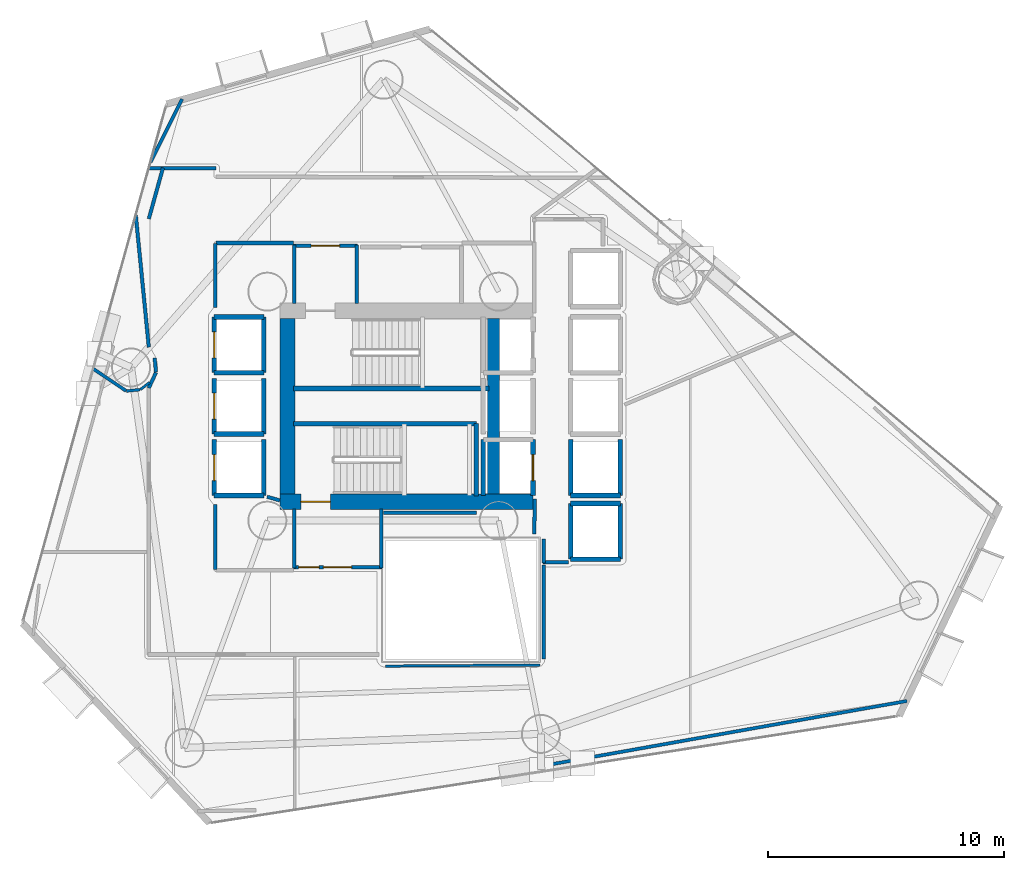
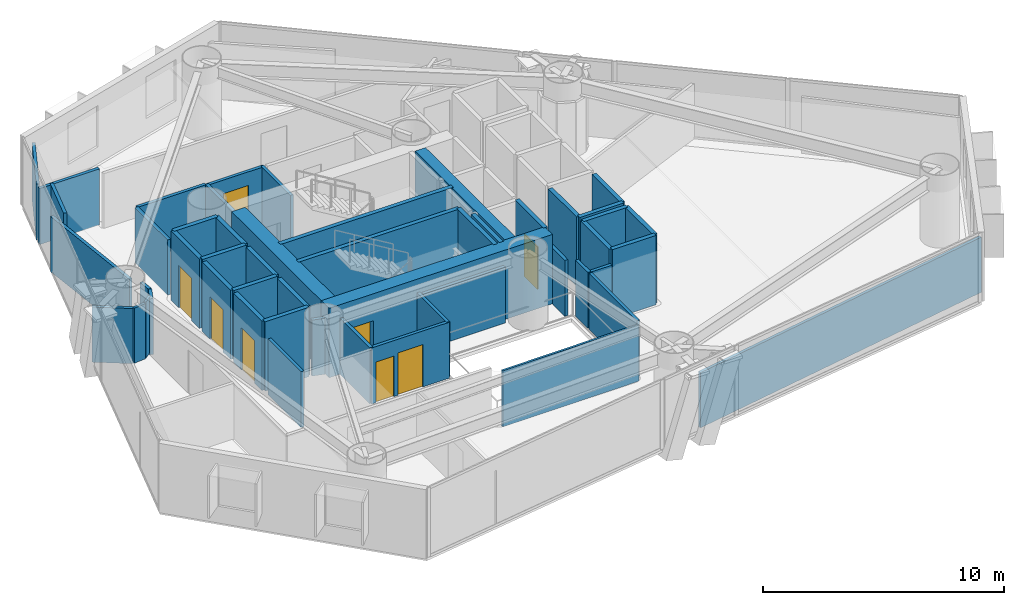
# One storey, part 17 of 23: 51 walls, 8 doors, 8 openings.
"""IFC4 building model written with IfcOpenShell, lengths in metres."""

from ifc_helpers import new_model, si_unit, direction, frame, frame_2d, origin, place, context, subcontext, project, spatial, rectangle, extrude, material, layer, layer_set, type_object, element, fill, save


model = new_model("IFC4")

# Units and contexts
model_context = context("Model", 3, precision=1e-05, world=origin(), true_north=direction((0.0, 1.0)))
body_context = subcontext(model_context, "Body", "Model", "MODEL_VIEW")
ifc_project = project(units=[si_unit("LENGTHUNIT", "METRE"), si_unit("AREAUNIT", "SQUARE_METRE"), si_unit("VOLUMEUNIT", "CUBIC_METRE"), si_unit("PLANEANGLEUNIT", "RADIAN"), si_unit("MASSUNIT", "GRAM", prefix="KILO")], contexts=[model_context])

# Site, building, storey
site_placement = place(None, origin())
site = spatial("IfcSite", under=ifc_project, at=site_placement, CompositionType="ELEMENT")
building_placement = place(site_placement, origin())
building = spatial("IfcBuilding", under=site, at=building_placement, Name="Qianvela Tower", CompositionType="ELEMENT")
storey_placement = place(building_placement, frame((0.0, 0.0, 78.39990234375)))
storey = spatial("IfcBuildingStorey", under=building, at=storey_placement, Name="L19", CompositionType="ELEMENT", Elevation=78.39990234375)

# Wall, opening, door
ifc_material_1 = material(Name="Concrete C60", Category="concrete")
ifc_layer_1 = layer(ifc_material_1, 0.64990234375)
ifc_layer_set_1 = layer_set([ifc_layer_1], Name="Concrete C60")
wall_type_1 = type_object("IfcWallType", Name="WT-CORE-650", PredefinedType="SHEAR", material=ifc_layer_set_1)
wall_1_placement = place(storey_placement, frame((29.1298828125, 24.655029296875, 0.0), z_axis=(0.0, 0.0, 1.0), x_axis=(1.0, 0.0, 0.0)))
wall_1 = element("IfcWall", 1, at=wall_1_placement, inside=storey, type_object=wall_type_1, Name="L19 South Core Shear Wall", PredefinedType="SHEAR", context=body_context, shape_type="SweptSolid", body=[
    extrude(rectangle(XDim=10.72021484375, YDim=0.64990234375, at=frame_2d((5.360107421875, 0.0))), origin(), (0.0, 0.0, 1.0), 3.52001953125),
])
opening_1_placement = place(wall_1_placement, frame((0.89501953125, 0.0, 0.0)))
opening_1 = element("IfcOpeningElement", 2, at=opening_1_placement, cuts=wall_1, Name="Opening D-ST1", PredefinedType="OPENING", context=body_context, shape_type="SweptSolid", body=[
    extrude(rectangle(XDim=1.25, YDim=2.14990234375, at=frame_2d((0.625, 1.074951171875))), frame((0.0, 0.3349609375, 0.0), z_axis=(0.0, -1.0, 0.0), x_axis=(1.0, 0.0, 0.0)), (0.0, 0.0, 1.0), 0.669921875),
])
ifc_material_2 = material(Name="Galvanised Fire Steel Q355B", Category="steel")
door_type_1 = type_object("IfcDoorType", Name="DT-STAIR-FD90", OperationType="NOTDEFINED", PredefinedType="DOOR", material=ifc_material_2)
door_1_placement = place(opening_1_placement, origin())
door_1 = element("IfcDoor", 3, at=door_1_placement, inside=storey, type_object=door_type_1, Name="L19 Stair ST-2 Exit Door", OperationType="SINGLE_SWING_LEFT", OverallHeight=2.14990234375, OverallWidth=1.25, PredefinedType="DOOR", context=body_context, shape_type="SweptSolid", body=[
    extrude(rectangle(XDim=1.25, YDim=2.14990234375, at=frame_2d((0.625, 1.074951171875))), frame((0.0, 0.02490234375, 0.0), z_axis=(0.0, -1.0, 0.0), x_axis=(1.0, 0.0, 0.0)), (0.0, 0.0, 1.0), 0.050048828125),
])
fill(opening_1, door_1)

# Walls
wall_2_placement = place(storey_placement, frame((29.455078125, 24.97998046875, 0.0), z_axis=(0.0, 0.0, 1.0), x_axis=(0.0, 1.0, 0.0)))
element("IfcWall", 4, at=wall_2_placement, inside=storey, type_object=wall_type_1, Name="L19 West Core Shear Wall", PredefinedType="SHEAR", context=body_context, shape_type="SweptSolid", body=[
    extrude(rectangle(XDim=7.43994140625, YDim=0.64990234375, at=frame_2d((3.719970703125, 0.0))), origin(), (0.0, 0.0, 1.0), 3.52001953125),
])
wall_3_placement = place(storey_placement, frame((38.179931640625, 24.97998046875, 0.0), z_axis=(0.0, 0.0, 1.0), x_axis=(0.0, 1.0, 0.0)))
element("IfcWall", 5, at=wall_3_placement, inside=storey, type_object=wall_type_1, Name="L19 East Spine Core Shear Wall", PredefinedType="SHEAR", context=body_context, shape_type="SweptSolid", body=[
    extrude(rectangle(XDim=7.43994140625, YDim=0.5, at=frame_2d((3.719970703125, 0.0))), origin(), (0.0, 0.0, 1.0), 3.52001953125),
])
ifc_material_3 = material(Name="Fire-Rated Acoustic Gypsum Board")
ifc_layer_2 = layer(ifc_material_3, 0.14990234375)
ifc_layer_set_2 = layer_set([ifc_layer_2], Name="Fire-Rated Acoustic Gypsum Board")
wall_type_2 = type_object("IfcWallType", Name="WT-CORR-150", PredefinedType="PARTITIONING", material=ifc_layer_set_2)
wall_4_placement = place(storey_placement, frame((29.73095703125, 33.05810546875, 0.0), z_axis=(0.0, 0.0, 1.0), x_axis=(0.0, 1.0, 0.0)))
element("IfcWall", 6, at=wall_4_placement, inside=storey, type_object=wall_type_2, Name="L19 Partition 2", PredefinedType="PARTITIONING", context=body_context, shape_type="SweptSolid", body=[
    extrude(rectangle(XDim=2.4619140625, YDim=0.14990234375, at=frame_2d((1.23095703125, 0.0))), origin(), (0.0, 0.0, 1.0), 2.840087890625),
])

# Wall, opening, door
wall_5_placement = place(storey_placement, frame((29.699951171875, 35.489013671875, 0.0), z_axis=(0.0, 0.0, 1.0), x_axis=(1.0, 0.0, 0.0)))
wall_5 = element("IfcWall", 7, at=wall_5_placement, inside=storey, type_object=wall_type_2, Name="L19 Partition 3", PredefinedType="PARTITIONING", context=body_context, shape_type="SweptSolid", body=[
    extrude(rectangle(XDim=2.719970703125, YDim=0.14990234375, at=frame_2d((1.35986328125, 0.0))), origin(), (0.0, 0.0, 1.0), 2.840087890625),
])
opening_2_placement = place(wall_5_placement, frame((0.760009765625, 0.0, 0.0)))
opening_2 = element("IfcOpeningElement", 8, at=opening_2_placement, cuts=wall_5, Name="Opening D-LB1", PredefinedType="OPENING", context=body_context, shape_type="SweptSolid", body=[
    extrude(rectangle(XDim=1.199951171875, YDim=2.14990234375, at=frame_2d((0.60009765625, 1.074951171875))), frame((0.0, 0.0849609375, 0.0), z_axis=(0.0, -1.0, 0.0), x_axis=(1.0, 0.0, 0.0)), (0.0, 0.0, 1.0), 0.169921875),
])
ifc_material_4 = material(Name="Glazed Fire-Rated Steel Frame", Category="steel")
door_type_2 = type_object("IfcDoorType", Name="DT-LOBBY-FD90", OperationType="NOTDEFINED", PredefinedType="DOOR", material=ifc_material_4)
door_2_placement = place(opening_2_placement, origin())
door_2 = element("IfcDoor", 9, at=door_2_placement, inside=storey, type_object=door_type_2, Name="L19 Door L19 Firefighting Lobby North to L19 Floor Corridor", OperationType="SINGLE_SWING_LEFT", OverallHeight=2.14990234375, OverallWidth=1.199951171875, PredefinedType="DOOR", context=body_context, shape_type="SweptSolid", body=[
    extrude(rectangle(XDim=1.199951171875, YDim=2.14990234375, at=frame_2d((0.60009765625, 1.074951171875))), frame((0.0, 0.02490234375, 0.0), z_axis=(0.0, -1.0, 0.0), x_axis=(1.0, 0.0, 0.0)), (0.0, 0.0, 1.0), 0.050048828125),
])
fill(opening_2, door_2)

# Wall
wall_6_placement = place(storey_placement, frame((32.388916015625, 35.52001953125, 0.0), z_axis=(0.0, 0.0, 1.0), x_axis=(0.0, -1.0, 0.0)))
element("IfcWall", 10, at=wall_6_placement, inside=storey, type_object=wall_type_2, Name="L19 Partition 4", PredefinedType="PARTITIONING", context=body_context, shape_type="SweptSolid", body=[
    extrude(rectangle(XDim=2.4619140625, YDim=0.14990234375, at=frame_2d((1.23095703125, 0.0))), origin(), (0.0, 0.0, 1.0), 2.840087890625),
])

# Wall, openings, doors
wall_7_placement = place(storey_placement, frame((33.449951171875, 21.881103515625, 0.0), z_axis=(0.0, 0.0, 1.0), x_axis=(-1.0, 0.0, 0.0)))
wall_7 = element("IfcWall", 11, at=wall_7_placement, inside=storey, type_object=wall_type_2, Name="L19 Partition 5", PredefinedType="PARTITIONING", context=body_context, shape_type="SweptSolid", body=[
    extrude(rectangle(XDim=3.75, YDim=0.14990234375, at=frame_2d((1.875, 0.0))), origin(), (0.0, 0.0, 1.0), 2.840087890625),
])
opening_3_placement = place(wall_7_placement, frame((1.27490234375, 0.0, 0.0)))
opening_3 = element("IfcOpeningElement", 12, at=opening_3_placement, cuts=wall_7, Name="Opening D-LB1", PredefinedType="OPENING", context=body_context, shape_type="SweptSolid", body=[
    extrude(rectangle(XDim=1.199951171875, YDim=2.14990234375, at=frame_2d((0.60009765625, 1.074951171875))), frame((0.0, 0.0849609375, 0.0), z_axis=(0.0, -1.0, 0.0), x_axis=(1.0, 0.0, 0.0)), (0.0, 0.0, 1.0), 0.169921875),
])
opening_4_placement = place(wall_7_placement, frame((2.659912109375, 0.0, 0.0)))
opening_4 = element("IfcOpeningElement", 13, at=opening_4_placement, cuts=wall_7, Name="Opening D-LB2", PredefinedType="OPENING", context=body_context, shape_type="SweptSolid", body=[
    extrude(rectangle(XDim=0.860107421875, YDim=2.050048828125, at=frame_2d((0.43017578125, 1.02490234375))), frame((0.0, 0.0849609375, 0.0), z_axis=(0.0, -1.0, 0.0), x_axis=(1.0, 0.0, 0.0)), (0.0, 0.0, 1.0), 0.169921875),
])
door_3_placement = place(opening_3_placement, origin())
door_3 = element("IfcDoor", 14, at=door_3_placement, inside=storey, type_object=door_type_2, Name="L19 Door L19 Firefighting Lobby South to L19 Floor Corridor", OperationType="SINGLE_SWING_RIGHT", OverallHeight=2.14990234375, OverallWidth=1.199951171875, PredefinedType="DOOR", context=body_context, shape_type="SweptSolid", body=[
    extrude(rectangle(XDim=1.199951171875, YDim=2.14990234375, at=frame_2d((0.60009765625, 1.074951171875))), frame((0.0, 0.02490234375, 0.0), z_axis=(0.0, -1.0, 0.0), x_axis=(1.0, 0.0, 0.0)), (0.0, 0.0, 1.0), 0.050048828125),
])
fill(opening_3, door_3)
ifc_material_5 = material(Name="Insulated Steel Fire Door Q355B", Category="steel")
door_type_3 = type_object("IfcDoorType", Name="DT-LOBBY-FD90-860", OperationType="NOTDEFINED", PredefinedType="DOOR", material=ifc_material_5)
door_4_placement = place(opening_4_placement, origin())
door_4 = element("IfcDoor", 15, at=door_4_placement, inside=storey, type_object=door_type_3, Name="L19 Door L19 Firefighting Lobby South to L19 Floor Corridor", OperationType="SINGLE_SWING_LEFT", OverallHeight=2.050048828125, OverallWidth=0.860107421875, PredefinedType="DOOR", context=body_context, shape_type="SweptSolid", body=[
    extrude(rectangle(XDim=0.860107421875, YDim=2.050048828125, at=frame_2d((0.43017578125, 1.02490234375))), frame((0.0, 0.02490234375, 0.0), z_axis=(0.0, -1.0, 0.0), x_axis=(1.0, 0.0, 0.0)), (0.0, 0.0, 1.0), 0.050048828125),
])
fill(opening_4, door_4)

# Walls
for number, where, z_axis, x_axis, name in (
    (16, (29.73095703125, 21.85009765625, 0.0), (0.0, 0.0, 1.0), (0.0, 1.0, 0.0), "L19 Partition 6"),
    (17, (33.4189453125, 24.342041015625, 0.0), (0.0, 0.0, 1.0), (0.0, -1.0, 0.0), "L19 Partition 8"),
):
    element("IfcWall", number, at=place(storey_placement, frame(where, z_axis=z_axis, x_axis=x_axis)), inside=storey, type_object=wall_type_2, Name=name, PredefinedType="PARTITIONING", context=body_context, shape_type="SweptSolid", body=[
        extrude(rectangle(XDim=2.491943359375, YDim=0.14990234375, at=frame_2d((1.24609375, 0.0))), origin(), (0.0, 0.0, 1.0), 2.840087890625),
    ])
wall_8_placement = place(storey_placement, frame((41.360107421875, 22.0810546875, 0.0), z_axis=(0.0, 0.0, 1.0), x_axis=(-1.0, 0.0, 0.0)))
element("IfcWall", 18, at=wall_8_placement, inside=storey, type_object=wall_type_2, Name="L19 Partition 15", PredefinedType="PARTITIONING", context=body_context, shape_type="SweptSolid", body=[
    extrude(rectangle(XDim=1.080078125, YDim=0.14990234375, at=frame_2d((0.5400390625, 0.0))), origin(), (0.0, 0.0, 1.0), 2.840087890625),
])
wall_9_placement = place(storey_placement, frame((40.31103515625, 22.05029296875, 0.0), z_axis=(0.0, 0.0, 1.0), x_axis=(-0.011836292006, 0.999929948642, 0.0)))
element("IfcWall", 19, at=wall_9_placement, inside=storey, type_object=wall_type_2, Name="L19 Partition 16", PredefinedType="PARTITIONING", context=body_context, shape_type="SweptSolid", body=[
    extrude(rectangle(XDim=1.03125, YDim=0.14990234375, at=frame_2d((0.515625, 0.0))), origin(), (0.0, 0.0, 1.0), 2.840087890625),
])
wall_10_placement = place(storey_placement, frame((39.910888671875, 23.27978515625, 0.0), z_axis=(0.0, 0.0, 1.0), x_axis=(0.009397771291, 0.999955839972, 0.0)))
element("IfcWall", 20, at=wall_10_placement, inside=storey, type_object=wall_type_2, Name="L19 Partition 17", PredefinedType="PARTITIONING", context=body_context, shape_type="SweptSolid", body=[
    extrude(rectangle(XDim=1.480712890625, YDim=0.14990234375, at=frame_2d((0.740234375, 0.0))), origin(), (0.0, 0.0, 1.0), 2.840087890625),
])
wall_11_placement = place(storey_placement, frame((29.1298828125, 24.706298828125, 0.0), z_axis=(0.0, 0.0, 1.0), x_axis=(-0.960451214223, 0.278448316742, 0.0)))
element("IfcWall", 21, at=wall_11_placement, inside=storey, type_object=wall_type_2, Name="L19 Partition 27", PredefinedType="PARTITIONING", context=body_context, shape_type="SweptSolid", body=[
    extrude(rectangle(XDim=0.56201171875, YDim=0.14990234375, at=frame_2d((0.281005859375, 0.0))), origin(), (0.0, 0.0, 1.0), 2.840087890625),
])
wall_12_placement = place(storey_placement, frame((37.466552734375, 24.180908203125, 0.0), z_axis=(0.0, 0.0, 1.0), x_axis=(-1.0, 0.0, 0.0)))
element("IfcWall", 22, at=wall_12_placement, inside=storey, type_object=wall_type_2, Name="L19 Partition 34", PredefinedType="PARTITIONING", context=body_context, shape_type="SweptSolid", body=[
    extrude(rectangle(XDim=3.9365234375, YDim=0.14990234375, at=frame_2d((1.96826171875, 0.0))), origin(), (0.0, 0.0, 1.0), 2.840087890625),
])
wall_13_placement = place(storey_placement, frame((23.5810546875, 31.197265625, 0.0), z_axis=(0.0, 0.0, 1.0), x_axis=(-0.098472401476, 0.995139782215, 0.0)))
element("IfcWall", 23, at=wall_13_placement, inside=storey, type_object=wall_type_2, Name="L19 Partition 35", PredefinedType="PARTITIONING", context=body_context, shape_type="SweptSolid", body=[
    extrude(rectangle(XDim=5.62548828125, YDim=0.14990234375, at=frame_2d((2.812744140625, 0.0))), origin(), (0.0, 0.0, 1.0), 2.798095703125),
])
wall_14_placement = place(storey_placement, frame((23.579833984375, 36.63330078125, 0.0), z_axis=(0.0, 0.0, 1.0), x_axis=(0.267559547286, 0.963541326906, 0.0)))
element("IfcWall", 24, at=wall_14_placement, inside=storey, type_object=wall_type_2, Name="L19 Partition 36", PredefinedType="PARTITIONING", context=body_context, shape_type="SweptSolid", body=[
    extrude(rectangle(XDim=2.240234375, YDim=0.14990234375, at=frame_2d((1.1201171875, 0.0))), origin(), (0.0, 0.0, 1.0), 2.840087890625),
])
wall_15_placement = place(storey_placement, frame((23.55517578125, 38.76904296875, 0.0), z_axis=(0.0, 0.0, 1.0), x_axis=(1.0, 0.0, 0.0)))
element("IfcWall", 25, at=wall_15_placement, inside=storey, type_object=wall_type_2, Name="L19 Partition 37", PredefinedType="PARTITIONING", context=body_context, shape_type="SweptSolid", body=[
    extrude(rectangle(XDim=2.86474609375, YDim=0.14990234375, at=frame_2d((1.432373046875, 0.0))), origin(), (0.0, 0.0, 1.0), 2.840087890625),
])
wall_16_placement = place(storey_placement, frame((29.699951171875, 35.611083984375, 0.0), z_axis=(0.0, 0.0, 1.0), x_axis=(-1.0, 0.0, 0.0)))
element("IfcWall", 26, at=wall_16_placement, inside=storey, type_object=wall_type_2, Name="L19 Partition 41 seg 3", PredefinedType="PARTITIONING", context=body_context, shape_type="SweptSolid", body=[
    extrude(rectangle(XDim=3.280029296875, YDim=0.14990234375, at=frame_2d((1.64013671875, 0.0))), origin(), (0.0, 0.0, 1.0), 2.798095703125),
])
wall_17_placement = place(storey_placement, frame((26.388916015625, 35.580078125, 0.0), z_axis=(0.0, 0.0, 1.0), x_axis=(0.0, -1.0, 0.0)))
element("IfcWall", 27, at=wall_17_placement, inside=storey, type_object=wall_type_2, Name="L19 Partition 42", PredefinedType="PARTITIONING", context=body_context, shape_type="SweptSolid", body=[
    extrude(rectangle(XDim=2.71044921875, YDim=0.14990234375, at=frame_2d((1.355224609375, 0.0))), origin(), (0.0, 0.0, 1.0), 2.798095703125),
])
wall_18_placement = place(storey_placement, frame((26.388916015625, 24.530517578125, 0.0), z_axis=(0.0, 0.0, 1.0), x_axis=(0.0, -1.0, 0.0)))
element("IfcWall", 28, at=wall_18_placement, inside=storey, type_object=wall_type_2, Name="L19 Partition 44", PredefinedType="PARTITIONING", context=body_context, shape_type="SweptSolid", body=[
    extrude(rectangle(XDim=2.75048828125, YDim=0.14990234375, at=frame_2d((1.375244140625, 0.0))), origin(), (0.0, 0.0, 1.0), 2.840087890625),
])
wall_19_placement = place(storey_placement, frame((23.578125, 29.4697265625, 0.0), z_axis=(0.0, 0.0, 1.0), x_axis=(0.421827918194, 0.906675910914, 0.0)))
element("IfcWall", 29, at=wall_19_placement, inside=storey, type_object=wall_type_2, Name="L19 Partition 48", PredefinedType="PARTITIONING", context=body_context, shape_type="SweptSolid", body=[
    extrude(rectangle(XDim=0.720458984375, YDim=0.14990234375, at=frame_2d((0.3603515625, 0.0))), origin(), (0.0, 0.0, 1.0), 2.840087890625),
])
wall_20_placement = place(storey_placement, frame((23.884765625, 30.13916015625, 0.0), z_axis=(0.0, 0.0, 1.0), x_axis=(-0.0981888168, 0.995167803064, 0.0)))
element("IfcWall", 30, at=wall_20_placement, inside=storey, type_object=wall_type_2, Name="L19 Partition 49", PredefinedType="PARTITIONING", context=body_context, shape_type="SweptSolid", body=[
    extrude(rectangle(XDim=0.606689453125, YDim=0.14990234375, at=frame_2d((0.30322265625, 0.0))), origin(), (0.0, 0.0, 1.0), 2.840087890625),
])
ifc_material_6 = material(Name="Lightweight Gypsum Room Partition")
ifc_layer_3 = layer(ifc_material_6, 0.10498046875)
ifc_layer_set_3 = layer_set([ifc_layer_3], Name="Lightweight Gypsum Room Partition")
wall_type_3 = type_object("IfcWallType", Name="WT-PART-105", PredefinedType="PARTITIONING", material=ifc_layer_set_3)
wall_21_placement = place(storey_placement, frame((33.60009765625, 17.68896484375, 0.0), z_axis=(0.0, 0.0, 1.0), x_axis=(0.999974170588, 0.007187360901, 0.0)))
element("IfcWall", 31, at=wall_21_placement, inside=storey, type_object=wall_type_3, Name="L19 Partition 57", PredefinedType="PARTITIONING", context=body_context, shape_type="SweptSolid", body=[
    extrude(rectangle(XDim=6.555908203125, YDim=0.10498046875, at=frame_2d((3.27783203125, 0.0))), origin(), (0.0, 0.0, 1.0), 2.840087890625),
])
wall_22_placement = place(storey_placement, frame((23.224853515625, 29.405517578125, 0.0), z_axis=(0.0, 0.0, 1.0), x_axis=(0.792697562137, 0.609615103965, 0.0)))
element("IfcWall", 32, at=wall_22_placement, inside=storey, type_object=wall_type_3, Name="L19 Partition 96", PredefinedType="PARTITIONING", context=body_context, shape_type="SweptSolid", body=[
    extrude(rectangle(XDim=0.493408203125, YDim=0.10498046875, at=frame_2d((0.24658203125, 0.0))), origin(), (0.0, 0.0, 1.0), 2.840087890625),
])
ifc_material_7 = material(Name="Insulated Gypsum Stud Partition")
ifc_layer_4 = layer(ifc_material_7, 0.1201171875)
ifc_layer_set_4 = layer_set([ifc_layer_4], Name="Insulated Gypsum Stud Partition")
wall_type_4 = type_object("IfcWallType", Name="WT-PART-120", PredefinedType="PARTITIONING", material=ifc_layer_set_4)
wall_23_placement = place(storey_placement, frame((22.639892578125, 29.343017578125, 0.0), z_axis=(0.0, 0.0, 1.0), x_axis=(0.995167364461, 0.098193262045, 0.0)))
element("IfcWall", 33, at=wall_23_placement, inside=storey, type_object=wall_type_4, Name="L19 Partition 95", PredefinedType="PARTITIONING", context=body_context, shape_type="SweptSolid", body=[
    extrude(rectangle(XDim=0.57177734375, YDim=0.1201171875, at=frame_2d((0.285888671875, 0.0))), origin(), (0.0, 0.0, 1.0), 2.798095703125),
])
ifc_material_8 = material(Name="Acoustic Double Gypsum Stud Partition")
ifc_layer_5 = layer(ifc_material_8, 0.139892578125)
ifc_layer_set_5 = layer_set([ifc_layer_5], Name="Acoustic Double Gypsum Stud Partition")
wall_type_5 = type_object("IfcWallType", Name="WT-ROOM-140", PredefinedType="PARTITIONING", material=ifc_layer_set_5)
wall_24_placement = place(storey_placement, frame((40.31103515625, 18.0, 0.0), z_axis=(0.0, 0.0, 1.0), x_axis=(0.0, 1.0, 0.0)))
element("IfcWall", 34, at=wall_24_placement, inside=storey, type_object=wall_type_5, Name="L19 Partition 58 seg 1", PredefinedType="PARTITIONING", context=body_context, shape_type="SweptSolid", body=[
    extrude(rectangle(XDim=3.969970703125, YDim=0.139892578125, at=frame_2d((1.98486328125, 0.0))), origin(), (0.0, 0.0, 1.0), 2.840087890625),
])
wall_25_placement = place(storey_placement, frame((55.690673828125, 16.21142578125, 0.0), z_axis=(0.0, 0.0, 1.0), x_axis=(-0.984518953874, -0.175278148848, 0.0)))
element("IfcWall", 35, at=wall_25_placement, inside=storey, type_object=wall_type_5, Name="L19 Partition 67 seg 1", PredefinedType="PARTITIONING", context=body_context, shape_type="SweptSolid", body=[
    extrude(rectangle(XDim=15.251953125, YDim=0.139892578125, at=frame_2d((7.6259765625, 0.0))), origin(), (0.0, 0.0, 1.0), 2.798095703125),
])
wall_26_placement = place(storey_placement, frame((21.202392578125, 30.295166015625, 0.0), z_axis=(0.0, 0.0, 1.0), x_axis=(0.831454856981, -0.555592315285, 0.0)))
element("IfcWall", 36, at=wall_26_placement, inside=storey, type_object=wall_type_5, Name="L19 Partition 94", PredefinedType="PARTITIONING", context=body_context, shape_type="SweptSolid", body=[
    extrude(rectangle(XDim=1.70458984375, YDim=0.139892578125, at=frame_2d((0.852294921875, 0.0))), origin(), (0.0, 0.0, 1.0), 2.798095703125),
])
wall_27_placement = place(storey_placement, frame((23.646484375, 39.02587890625, 0.0), z_axis=(0.0, 0.0, 1.0), x_axis=(0.447702019823, 0.894182812095, 0.0)))
element("IfcWall", 37, at=wall_27_placement, inside=storey, type_object=wall_type_5, Name="L19 Partition 100", PredefinedType="PARTITIONING", context=body_context, shape_type="SweptSolid", body=[
    extrude(rectangle(XDim=2.998779296875, YDim=0.139892578125, at=frame_2d((1.49951171875, 0.0))), origin(), (0.0, 0.0, 1.0), 2.840087890625),
])
ifc_material_9 = material(Name="Concrete C50", Category="concrete")
ifc_layer_6 = layer(ifc_material_9, 0.199951171875)
ifc_layer_set_6 = layer_set([ifc_layer_6], Name="Concrete C50")
wall_type_6 = type_object("IfcWallType", Name="WT-SHAFT-200", PredefinedType="SOLIDWALL", material=ifc_layer_set_6)
wall_28_placement = place(storey_placement, frame((29.699951171875, 29.449951171875, 0.0), z_axis=(0.0, 0.0, 1.0), x_axis=(1.0, 0.0, 0.0)))
element("IfcWall", 38, at=wall_28_placement, inside=storey, type_object=wall_type_6, Name="L19 Stair ST-1 South Wall", PredefinedType="SOLIDWALL", context=body_context, shape_type="SweptSolid", body=[
    extrude(rectangle(XDim=8.300048828125, YDim=0.199951171875, at=frame_2d((4.14990234375, 0.0))), origin(), (0.0, 0.0, 1.0), 3.52001953125),
])
wall_29_placement = place(storey_placement, frame((29.699951171875, 27.9599609375, 0.0), z_axis=(0.0, 0.0, 1.0), x_axis=(1.0, 0.0, 0.0)))
element("IfcWall", 39, at=wall_29_placement, inside=storey, type_object=wall_type_6, Name="L19 Stair ST-2 North Wall", PredefinedType="SOLIDWALL", context=body_context, shape_type="SweptSolid", body=[
    extrude(rectangle(XDim=7.75, YDim=0.199951171875, at=frame_2d((3.875, 0.0))), origin(), (0.0, 0.0, 1.0), 3.52001953125),
])
wall_30_placement = place(storey_placement, frame((37.449951171875, 24.89990234375, 0.0), z_axis=(0.0, 0.0, 1.0), x_axis=(0.0, 1.0, 0.0)))
element("IfcWall", 40, at=wall_30_placement, inside=storey, type_object=wall_type_6, Name="L19 Stair ST-2 East Wall", PredefinedType="SOLIDWALL", context=body_context, shape_type="SweptSolid", body=[
    extrude(rectangle(XDim=3.06005859375, YDim=0.199951171875, at=frame_2d((1.530029296875, 0.0))), origin(), (0.0, 0.0, 1.0), 3.52001953125),
])

# Wall, opening, door
wall_31_placement = place(storey_placement, frame((39.85009765625, 24.919921875, 0.0), z_axis=(0.0, 0.0, 1.0), x_axis=(0.0, 1.0, 0.0)))
wall_31 = element("IfcWall", 41, at=wall_31_placement, inside=storey, type_object=wall_type_6, Name="L19 Lift FL-2 E Shaft Wall", PredefinedType="SOLIDWALL", context=body_context, shape_type="SweptSolid", body=[
    extrude(rectangle(XDim=2.360107421875, YDim=0.199951171875, at=frame_2d((1.18017578125, 0.0))), origin(), (0.0, 0.0, 1.0), 3.52001953125),
])
opening_5_placement = place(wall_31_placement, frame((0.6298828125, 0.0, 0.0)))
opening_5 = element("IfcOpeningElement", 42, at=opening_5_placement, cuts=wall_31, Name="Opening LD-01", PredefinedType="OPENING", context=body_context, shape_type="SweptSolid", body=[
    extrude(rectangle(XDim=1.10009765625, YDim=2.14990234375, at=frame_2d((0.550048828125, 1.074951171875))), frame((0.0, 0.10986328125, 0.0), z_axis=(0.0, -1.0, 0.0), x_axis=(1.0, 0.0, 0.0)), (0.0, 0.0, 1.0), 0.219970703125),
])
ifc_material_10 = material(Name="Brushed Stainless Steel Lift Landing Door", Category="steel")
door_type_4 = type_object("IfcDoorType", Name="DT-LIFT-SLIDE-1100", OperationType="SLIDING_TO_LEFT", PredefinedType="DOOR", material=ifc_material_10)
door_5_placement = place(opening_5_placement, origin())
door_5 = element("IfcDoor", 43, at=door_5_placement, inside=storey, type_object=door_type_4, Name="L19 Lift FL-2 Sliding Landing Door", OperationType="SLIDING_TO_LEFT", OverallHeight=2.14990234375, OverallWidth=1.10009765625, PredefinedType="DOOR", context=body_context, shape_type="SweptSolid", body=[
    extrude(rectangle(XDim=1.10009765625, YDim=2.14990234375, at=frame_2d((0.550048828125, 1.074951171875))), frame((0.0, 0.02490234375, 0.0), z_axis=(0.0, -1.0, 0.0), x_axis=(1.0, 0.0, 0.0)), (0.0, 0.0, 1.0), 0.050048828125),
])
fill(opening_5, door_5)

# Walls
wall_32_placement = place(storey_placement, frame((37.75, 24.919921875, 0.0), z_axis=(0.0, 0.0, 1.0), x_axis=(0.0, 1.0, 0.0)))
element("IfcWall", 44, at=wall_32_placement, inside=storey, type_object=wall_type_6, Name="L19 Lift FL-2 W Shaft Wall", PredefinedType="SOLIDWALL", context=body_context, shape_type="SweptSolid", body=[
    extrude(rectangle(XDim=2.360107421875, YDim=0.199951171875, at=frame_2d((1.18017578125, 0.0))), origin(), (0.0, 0.0, 1.0), 3.52001953125),
])
wall_33_placement = place(storey_placement, frame((28.449951171875, 30.1201171875, 0.0), z_axis=(0.0, 0.0, 1.0), x_axis=(0.0, 1.0, 0.0)))
element("IfcWall", 45, at=wall_33_placement, inside=storey, type_object=wall_type_6, Name="L19 Lift PL-L1 E Shaft Wall", PredefinedType="SOLIDWALL", context=body_context, shape_type="SweptSolid", body=[
    extrude(rectangle(XDim=2.35986328125, YDim=0.199951171875, at=frame_2d((1.179931640625, 0.0))), origin(), (0.0, 0.0, 1.0), 3.52001953125),
])

# Wall, opening, door
wall_34_placement = place(storey_placement, frame((26.35009765625, 30.1201171875, 0.0), z_axis=(0.0, 0.0, 1.0), x_axis=(0.0, 1.0, 0.0)))
wall_34 = element("IfcWall", 46, at=wall_34_placement, inside=storey, type_object=wall_type_6, Name="L19 Lift PL-L1 W Shaft Wall", PredefinedType="SOLIDWALL", context=body_context, shape_type="SweptSolid", body=[
    extrude(rectangle(XDim=2.35986328125, YDim=0.199951171875, at=frame_2d((1.179931640625, 0.0))), origin(), (0.0, 0.0, 1.0), 3.52001953125),
])
opening_6_placement = place(wall_34_placement, frame((0.6298828125, 0.0, 0.0)))
opening_6 = element("IfcOpeningElement", 47, at=opening_6_placement, cuts=wall_34, Name="Opening LD-01", PredefinedType="OPENING", context=body_context, shape_type="SweptSolid", body=[
    extrude(rectangle(XDim=1.10009765625, YDim=2.14990234375, at=frame_2d((0.550048828125, 1.074951171875))), frame((0.0, 0.10986328125, 0.0), z_axis=(0.0, -1.0, 0.0), x_axis=(1.0, 0.0, 0.0)), (0.0, 0.0, 1.0), 0.219970703125),
])
door_6_placement = place(opening_6_placement, origin())
door_6 = element("IfcDoor", 48, at=door_6_placement, inside=storey, type_object=door_type_4, Name="L19 Lift PL-L1 Sliding Landing Door", OperationType="SLIDING_TO_LEFT", OverallHeight=2.14990234375, OverallWidth=1.10009765625, PredefinedType="DOOR", context=body_context, shape_type="SweptSolid", body=[
    extrude(rectangle(XDim=1.10009765625, YDim=2.14990234375, at=frame_2d((0.550048828125, 1.074951171875))), frame((0.0, 0.02490234375, 0.0), z_axis=(0.0, -1.0, 0.0), x_axis=(1.0, 0.0, 0.0)), (0.0, 0.0, 1.0), 0.050048828125),
])
fill(opening_6, door_6)

# Walls
for number, where, z_axis, x_axis, name in (
    (49, (26.35009765625, 32.47998046875, 0.0), (0.0, 0.0, 1.0), (1.0, 0.0, 0.0), "L19 Lift PL-L1 N Shaft Wall"),
    (50, (26.35009765625, 30.1201171875, 0.0), (0.0, 0.0, 1.0), (1.0, 0.0, 0.0), "L19 Lift PL-L1 S Shaft Wall"),
):
    element("IfcWall", number, at=place(storey_placement, frame(where, z_axis=z_axis, x_axis=x_axis)), inside=storey, type_object=wall_type_6, Name=name, PredefinedType="SOLIDWALL", context=body_context, shape_type="SweptSolid", body=[
        extrude(rectangle(XDim=2.099853515625, YDim=0.199951171875, at=frame_2d((1.0498046875, 0.0))), origin(), (0.0, 0.0, 1.0), 3.52001953125),
    ])
wall_35_placement = place(storey_placement, frame((28.449951171875, 27.52001953125, 0.0), z_axis=(0.0, 0.0, 1.0), x_axis=(0.0, 1.0, 0.0)))
element("IfcWall", 51, at=wall_35_placement, inside=storey, type_object=wall_type_6, Name="L19 Lift PL-L2 E Shaft Wall", PredefinedType="SOLIDWALL", context=body_context, shape_type="SweptSolid", body=[
    extrude(rectangle(XDim=2.35986328125, YDim=0.199951171875, at=frame_2d((1.179931640625, 0.0))), origin(), (0.0, 0.0, 1.0), 3.52001953125),
])

# Wall, opening, door
wall_36_placement = place(storey_placement, frame((26.35009765625, 27.52001953125, 0.0), z_axis=(0.0, 0.0, 1.0), x_axis=(0.0, 1.0, 0.0)))
wall_36 = element("IfcWall", 52, at=wall_36_placement, inside=storey, type_object=wall_type_6, Name="L19 Lift PL-L2 W Shaft Wall", PredefinedType="SOLIDWALL", context=body_context, shape_type="SweptSolid", body=[
    extrude(rectangle(XDim=2.35986328125, YDim=0.199951171875, at=frame_2d((1.179931640625, 0.0))), origin(), (0.0, 0.0, 1.0), 3.52001953125),
])
opening_7_placement = place(wall_36_placement, frame((0.6298828125, 0.0, 0.0)))
opening_7 = element("IfcOpeningElement", 53, at=opening_7_placement, cuts=wall_36, Name="Opening LD-01", PredefinedType="OPENING", context=body_context, shape_type="SweptSolid", body=[
    extrude(rectangle(XDim=1.10009765625, YDim=2.14990234375, at=frame_2d((0.550048828125, 1.074951171875))), frame((0.0, 0.10986328125, 0.0), z_axis=(0.0, -1.0, 0.0), x_axis=(1.0, 0.0, 0.0)), (0.0, 0.0, 1.0), 0.219970703125),
])
door_7_placement = place(opening_7_placement, origin())
door_7 = element("IfcDoor", 54, at=door_7_placement, inside=storey, type_object=door_type_4, Name="L19 Lift PL-L2 Sliding Landing Door", OperationType="SLIDING_TO_LEFT", OverallHeight=2.14990234375, OverallWidth=1.10009765625, PredefinedType="DOOR", context=body_context, shape_type="SweptSolid", body=[
    extrude(rectangle(XDim=1.10009765625, YDim=2.14990234375, at=frame_2d((0.550048828125, 1.074951171875))), frame((0.0, 0.02490234375, 0.0), z_axis=(0.0, -1.0, 0.0), x_axis=(1.0, 0.0, 0.0)), (0.0, 0.0, 1.0), 0.050048828125),
])
fill(opening_7, door_7)

# Walls
wall_37_placement = place(storey_placement, frame((26.35009765625, 27.52001953125, 0.0), z_axis=(0.0, 0.0, 1.0), x_axis=(1.0, 0.0, 0.0)))
element("IfcWall", 55, at=wall_37_placement, inside=storey, type_object=wall_type_6, Name="L19 Lift PL-L2 S Shaft Wall", PredefinedType="SOLIDWALL", context=body_context, shape_type="SweptSolid", body=[
    extrude(rectangle(XDim=2.099853515625, YDim=0.199951171875, at=frame_2d((1.0498046875, 0.0))), origin(), (0.0, 0.0, 1.0), 3.52001953125),
])
wall_38_placement = place(storey_placement, frame((28.449951171875, 24.919921875, 0.0), z_axis=(0.0, 0.0, 1.0), x_axis=(0.0, 1.0, 0.0)))
element("IfcWall", 56, at=wall_38_placement, inside=storey, type_object=wall_type_6, Name="L19 Lift PL-L3 E Shaft Wall", PredefinedType="SOLIDWALL", context=body_context, shape_type="SweptSolid", body=[
    extrude(rectangle(XDim=2.360107421875, YDim=0.199951171875, at=frame_2d((1.18017578125, 0.0))), origin(), (0.0, 0.0, 1.0), 3.52001953125),
])

# Wall, opening, door
wall_39_placement = place(storey_placement, frame((26.35009765625, 24.919921875, 0.0), z_axis=(0.0, 0.0, 1.0), x_axis=(0.0, 1.0, 0.0)))
wall_39 = element("IfcWall", 57, at=wall_39_placement, inside=storey, type_object=wall_type_6, Name="L19 Lift PL-L3 W Shaft Wall", PredefinedType="SOLIDWALL", context=body_context, shape_type="SweptSolid", body=[
    extrude(rectangle(XDim=2.360107421875, YDim=0.199951171875, at=frame_2d((1.18017578125, 0.0))), origin(), (0.0, 0.0, 1.0), 3.52001953125),
])
opening_8_placement = place(wall_39_placement, frame((0.6298828125, 0.0, 0.0)))
opening_8 = element("IfcOpeningElement", 58, at=opening_8_placement, cuts=wall_39, Name="Opening LD-01", PredefinedType="OPENING", context=body_context, shape_type="SweptSolid", body=[
    extrude(rectangle(XDim=1.10009765625, YDim=2.14990234375, at=frame_2d((0.550048828125, 1.074951171875))), frame((0.0, 0.10986328125, 0.0), z_axis=(0.0, -1.0, 0.0), x_axis=(1.0, 0.0, 0.0)), (0.0, 0.0, 1.0), 0.219970703125),
])
door_8_placement = place(opening_8_placement, origin())
door_8 = element("IfcDoor", 59, at=door_8_placement, inside=storey, type_object=door_type_4, Name="L19 Lift PL-L3 Sliding Landing Door", OperationType="SLIDING_TO_LEFT", OverallHeight=2.14990234375, OverallWidth=1.10009765625, PredefinedType="DOOR", context=body_context, shape_type="SweptSolid", body=[
    extrude(rectangle(XDim=1.10009765625, YDim=2.14990234375, at=frame_2d((0.550048828125, 1.074951171875))), frame((0.0, 0.02490234375, 0.0), z_axis=(0.0, -1.0, 0.0), x_axis=(1.0, 0.0, 0.0)), (0.0, 0.0, 1.0), 0.050048828125),
])
fill(opening_8, door_8)

# Walls
wall_40_placement = place(storey_placement, frame((26.35009765625, 24.919921875, 0.0), z_axis=(0.0, 0.0, 1.0), x_axis=(1.0, 0.0, 0.0)))
element("IfcWall", 60, at=wall_40_placement, inside=storey, type_object=wall_type_6, Name="L19 Lift PL-L3 S Shaft Wall", PredefinedType="SOLIDWALL", context=body_context, shape_type="SweptSolid", body=[
    extrude(rectangle(XDim=2.099853515625, YDim=0.199951171875, at=frame_2d((1.0498046875, 0.0))), origin(), (0.0, 0.0, 1.0), 3.52001953125),
])
for number, where, z_axis, x_axis, name in (
    (61, (43.550048828125, 24.919921875, 0.0), (0.0, 0.0, 1.0), (0.0, 1.0, 0.0), "L19 Lift PL-M3 E Shaft Wall"),
    (62, (41.449951171875, 24.919921875, 0.0), (0.0, 0.0, 1.0), (0.0, 1.0, 0.0), "L19 Lift PL-M3 W Shaft Wall"),
):
    element("IfcWall", number, at=place(storey_placement, frame(where, z_axis=z_axis, x_axis=x_axis)), inside=storey, type_object=wall_type_6, Name=name, PredefinedType="SOLIDWALL", context=body_context, shape_type="SweptSolid", body=[
        extrude(rectangle(XDim=2.360107421875, YDim=0.199951171875, at=frame_2d((1.18017578125, 0.0))), origin(), (0.0, 0.0, 1.0), 3.52001953125),
    ])
wall_41_placement = place(storey_placement, frame((41.449951171875, 24.919921875, 0.0), z_axis=(0.0, 0.0, 1.0), x_axis=(1.0, 0.0, 0.0)))
element("IfcWall", 63, at=wall_41_placement, inside=storey, type_object=wall_type_6, Name="L19 Lift PL-M3 S Shaft Wall", PredefinedType="SOLIDWALL", context=body_context, shape_type="SweptSolid", body=[
    extrude(rectangle(XDim=2.10009765625, YDim=0.199951171875, at=frame_2d((1.050048828125, 0.0))), origin(), (0.0, 0.0, 1.0), 3.52001953125),
])
for number, where, z_axis, x_axis, name in (
    (64, (43.550048828125, 22.219970703125, 0.0), (0.0, 0.0, 1.0), (0.0, 1.0, 0.0), "L19 Lift PL-H2 E Shaft Wall"),
    (65, (41.449951171875, 22.219970703125, 0.0), (0.0, 0.0, 1.0), (0.0, 1.0, 0.0), "L19 Lift PL-H2 W Shaft Wall"),
):
    element("IfcWall", number, at=place(storey_placement, frame(where, z_axis=z_axis, x_axis=x_axis)), inside=storey, type_object=wall_type_6, Name=name, PredefinedType="SOLIDWALL", context=body_context, shape_type="SweptSolid", body=[
        extrude(rectangle(XDim=2.360107421875, YDim=0.199951171875, at=frame_2d((1.18017578125, 0.0))), origin(), (0.0, 0.0, 1.0), 3.52001953125),
    ])
for number, where, z_axis, x_axis, name in (
    (66, (41.449951171875, 24.580078125, 0.0), (0.0, 0.0, 1.0), (1.0, 0.0, 0.0), "L19 Lift PL-H2 N Shaft Wall"),
    (67, (41.449951171875, 22.219970703125, 0.0), (0.0, 0.0, 1.0), (1.0, 0.0, 0.0), "L19 Lift PL-H2 S Shaft Wall"),
):
    element("IfcWall", number, at=place(storey_placement, frame(where, z_axis=z_axis, x_axis=x_axis)), inside=storey, type_object=wall_type_6, Name=name, PredefinedType="SOLIDWALL", context=body_context, shape_type="SweptSolid", body=[
        extrude(rectangle(XDim=2.10009765625, YDim=0.199951171875, at=frame_2d((1.050048828125, 0.0))), origin(), (0.0, 0.0, 1.0), 3.52001953125),
    ])

save(model, "model.ifc")
